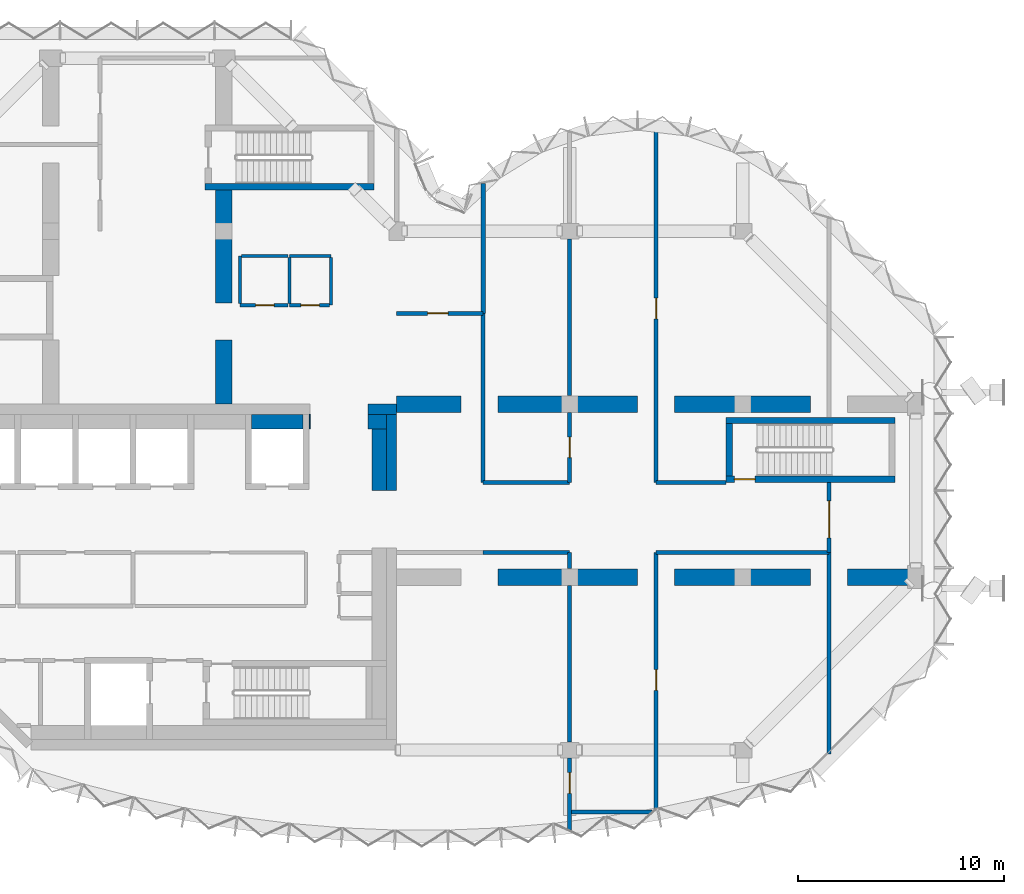
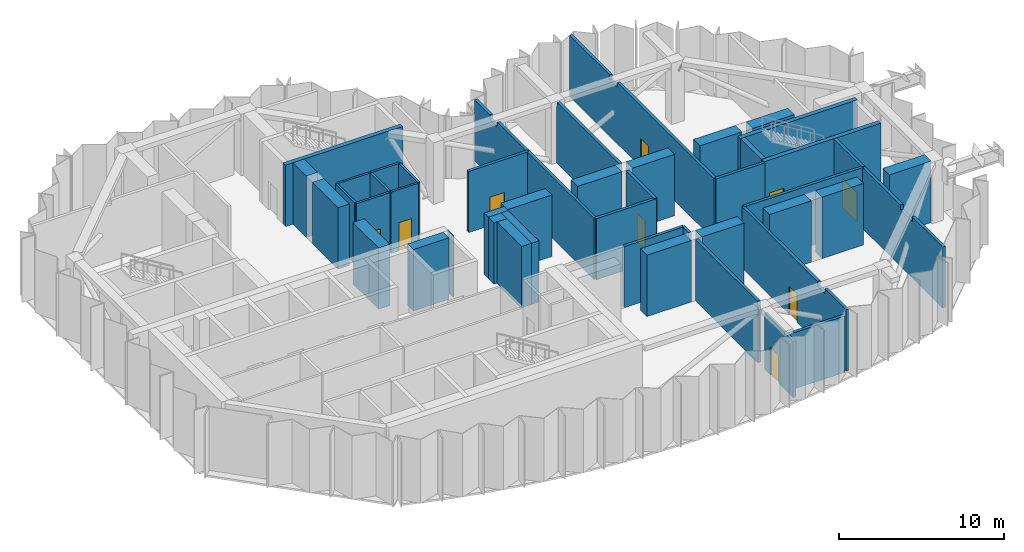
# One storey, part 5 of 13: 47 walls, 9 doors, 9 openings.
"""IFC4 building model written with IfcOpenShell, lengths in metres."""

from ifc_helpers import new_model, si_unit, direction, frame, frame_2d, origin, place, context, subcontext, project, spatial, polyline, rectangle, outline, extrude, material, layer, layer_set, type_object, element, fill, save


model = new_model("IFC4")

# Units and contexts
model_context = context("Model", 3, precision=1e-05, world=origin(), true_north=direction((0.0, 1.0)))
body_context = subcontext(model_context, "Body", "Model", "MODEL_VIEW")
ifc_project = project(units=[si_unit("LENGTHUNIT", "METRE"), si_unit("AREAUNIT", "SQUARE_METRE"), si_unit("VOLUMEUNIT", "CUBIC_METRE"), si_unit("PLANEANGLEUNIT", "RADIAN"), si_unit("MASSUNIT", "GRAM", prefix="KILO")], contexts=[model_context])

# Site, building, storey
site_placement = place(None, origin())
site = spatial("IfcSite", under=ifc_project, at=site_placement, CompositionType="ELEMENT")
building_placement = place(site_placement, origin())
building = spatial("IfcBuilding", under=site, at=building_placement, Name="Brevane Broadcast Tower", CompositionType="ELEMENT")
storey_placement = place(building_placement, frame((0.0, 0.0, 210.89990234375)))
storey = spatial("IfcBuildingStorey", under=building, at=storey_placement, Name="L53", CompositionType="ELEMENT", Elevation=210.89990234375)

# Walls
ifc_material_1 = material(Name="Concrete C32/40", Category="concrete")
ifc_layer_1 = layer(ifc_material_1, 0.699951171875)
ifc_layer_set_1 = layer_set([ifc_layer_1], Name="Core chase wall 700 mm")
wall_type_1 = type_object("IfcWallType", Name="Core chase wall 700 mm", PredefinedType="PARTITIONING", material=ifc_layer_set_1)
wall_1_placement = place(storey_placement, frame((24.35009765625, 12.60009765625, 0.0), z_axis=(0.0, 0.0, 1.0), x_axis=(0.0, 1.0, 0.0)))
element("IfcWall", 1, at=wall_1_placement, inside=storey, type_object=wall_type_1, Name="L53 chase wall LE2", PredefinedType="PARTITIONING", context=body_context, shape_type="SweptSolid", body=[
    extrude(rectangle(XDim=3.0, YDim=0.699951171875, at=frame_2d((1.5, 0.0))), origin(), (0.0, 0.0, 1.0), 4.550048828125),
])
wall_2_placement = place(storey_placement, frame((23.800048828125, 15.949951171875, 0.0), z_axis=(0.0, 0.0, 1.0), x_axis=(1.0, 0.0, 0.0)))
element("IfcWall", 2, at=wall_2_placement, inside=storey, type_object=wall_type_1, Name="L53 chase wall LN2", PredefinedType="PARTITIONING", context=body_context, shape_type="SweptSolid", body=[
    extrude(rectangle(XDim=0.89990234375, YDim=0.699951171875, at=frame_2d((0.449951171875, 0.0))), origin(), (0.0, 0.0, 1.0), 4.550048828125),
])
wall_3_placement = place(storey_placement, frame((18.14990234375, 15.949951171875, 0.0), z_axis=(0.0, 0.0, 1.0), x_axis=(1.0, 0.0, 0.0)))
element("IfcWall", 3, at=wall_3_placement, inside=storey, type_object=wall_type_1, Name="L53 chase wall LN1-2-2-2-2-2-2-1", PredefinedType="PARTITIONING", context=body_context, shape_type="SweptSolid", body=[
    extrude(rectangle(XDim=2.5, YDim=0.699951171875, at=frame_2d((1.25, 0.0))), origin(), (0.0, 0.0, 1.0), 4.550048828125),
])
wall_4_placement = place(storey_placement, frame((20.949951171875, 15.949951171875, 0.0), z_axis=(0.0, 0.0, 1.0), x_axis=(1.0, 0.0, 0.0)))
element("IfcWall", 4, at=wall_4_placement, inside=storey, type_object=wall_type_1, Name="L53 chase wall LN1-2-2-2-2-2-2-2", PredefinedType="PARTITIONING", context=body_context, shape_type="SweptSolid", body=[
    extrude(rectangle(XDim=0.050048828125, YDim=0.699951171875, at=frame_2d((0.02490234375, 0.0))), origin(), (0.0, 0.0, 1.0), 4.550048828125),
])
ifc_material_2 = material(Name="Gypsum board on steel studs", Category="steel")
ifc_layer_2 = layer(ifc_material_2, 0.14990234375)
ifc_layer_set_2 = layer_set([ifc_layer_2], Name="Core fire partition 150 mm")
wall_type_2 = type_object("IfcWallType", Name="Core fire partition 150 mm", PredefinedType="PARTITIONING", material=ifc_layer_set_2)
wall_5_placement = place(storey_placement, frame((20.0, 24.0, 0.0), z_axis=(0.0, 0.0, 1.0), x_axis=(1.0, 0.0, 0.0)))
element("IfcWall", 5, at=wall_5_placement, inside=storey, type_object=wall_type_2, Name="L53 partition wall P22", PredefinedType="PARTITIONING", context=body_context, shape_type="SweptSolid", body=[
    extrude(rectangle(XDim=2.0, YDim=0.14990234375, at=frame_2d((1.0, 0.0))), origin(), (0.0, 0.0, 1.0), 4.550048828125),
])
wall_6_placement = place(storey_placement, frame((22.0, 23.925048828125, 0.0), z_axis=(0.0, 0.0, 1.0), x_axis=(0.0, -1.0, 0.0)))
element("IfcWall", 6, at=wall_6_placement, inside=storey, type_object=wall_type_2, Name="L53 partition wall P23", PredefinedType="PARTITIONING", context=body_context, shape_type="SweptSolid", body=[
    extrude(rectangle(XDim=2.324951171875, YDim=0.14990234375, at=frame_2d((1.16259765625, 0.0))), origin(), (0.0, 0.0, 1.0), 4.550048828125),
])

# Wall, opening, door
wall_7_placement = place(storey_placement, frame((21.925048828125, 21.60009765625, 0.0), z_axis=(0.0, 0.0, 1.0), x_axis=(-1.0, 0.0, 0.0)))
wall_7 = element("IfcWall", 7, at=wall_7_placement, inside=storey, type_object=wall_type_2, Name="L53 partition wall P24", PredefinedType="PARTITIONING", context=body_context, shape_type="SweptSolid", body=[
    extrude(rectangle(XDim=1.925048828125, YDim=0.14990234375, at=frame_2d((0.96240234375, 0.0))), origin(), (0.0, 0.0, 1.0), 4.550048828125),
])
opening_1_placement = place(wall_7_placement, frame((0.47509765625, 0.0, 0.0)))
opening_1 = element("IfcOpeningElement", 8, at=opening_1_placement, cuts=wall_7, Name="Opening L53-K23", PredefinedType="OPENING", context=body_context, shape_type="SweptSolid", body=[
    extrude(rectangle(XDim=0.89990234375, YDim=2.10009765625, at=frame_2d((0.449951171875, 1.050048828125))), frame((0.0, 0.0849609375, 0.0), z_axis=(0.0, -1.0, 0.0), x_axis=(1.0, 0.0, 0.0)), (0.0, 0.0, 1.0), 0.169921875),
])
ifc_material_3 = material(Name="Timber", Category="wood")
door_type_1 = type_object("IfcDoorType", Name="Toilet door 900 x 2100", OperationType="SINGLE_SWING_LEFT", PredefinedType="DOOR", material=ifc_material_3)
door_1_placement = place(opening_1_placement, origin())
door_1 = element("IfcDoor", 9, at=door_1_placement, inside=storey, type_object=door_type_1, Name="Door L53-K23", OperationType="SINGLE_SWING_LEFT", OverallHeight=2.10009765625, OverallWidth=0.89990234375, PredefinedType="DOOR", context=body_context, shape_type="SweptSolid", body=[
    extrude(rectangle(XDim=0.89990234375, YDim=2.10009765625, at=frame_2d((0.449951171875, 1.050048828125))), frame((0.0, 0.02490234375, 0.0), z_axis=(0.0, -1.0, 0.0), x_axis=(1.0, 0.0, 0.0)), (0.0, 0.0, 1.0), 0.050048828125),
])
fill(opening_1, door_1)

# Wall
wall_8_placement = place(storey_placement, frame((20.0, 21.675048828125, 0.0), z_axis=(0.0, 0.0, 1.0), x_axis=(0.0, 1.0, 0.0)))
element("IfcWall", 10, at=wall_8_placement, inside=storey, type_object=wall_type_2, Name="L53 partition wall P25", PredefinedType="PARTITIONING", context=body_context, shape_type="SweptSolid", body=[
    extrude(rectangle(XDim=2.25, YDim=0.14990234375, at=frame_2d((1.125, 0.0))), origin(), (0.0, 0.0, 1.0), 4.550048828125),
])

# Wall, opening, door
wall_9_placement = place(storey_placement, frame((19.925048828125, 21.60009765625, 0.0), z_axis=(0.0, 0.0, 1.0), x_axis=(-1.0, 0.0, 0.0)))
wall_9 = element("IfcWall", 11, at=wall_9_placement, inside=storey, type_object=wall_type_2, Name="L53 partition wall P26", PredefinedType="PARTITIONING", context=body_context, shape_type="SweptSolid", body=[
    extrude(rectangle(XDim=2.324951171875, YDim=0.14990234375, at=frame_2d((1.16259765625, 0.0))), origin(), (0.0, 0.0, 1.0), 4.550048828125),
])
opening_2_placement = place(wall_9_placement, frame((0.675048828125, 0.0, 0.0)))
opening_2 = element("IfcOpeningElement", 12, at=opening_2_placement, cuts=wall_9, Name="Opening L53-K24", PredefinedType="OPENING", context=body_context, shape_type="SweptSolid", body=[
    extrude(rectangle(XDim=0.89990234375, YDim=2.10009765625, at=frame_2d((0.449951171875, 1.050048828125))), frame((0.0, 0.0849609375, 0.0), z_axis=(0.0, -1.0, 0.0), x_axis=(1.0, 0.0, 0.0)), (0.0, 0.0, 1.0), 0.169921875),
])
ifc_material_4 = material(Name="Steel", Category="steel")
door_type_2 = type_object("IfcDoorType", Name="Service room door 900 x 2100", OperationType="SINGLE_SWING_LEFT", PredefinedType="DOOR", material=ifc_material_4)
door_2_placement = place(opening_2_placement, origin())
door_2 = element("IfcDoor", 13, at=door_2_placement, inside=storey, type_object=door_type_2, Name="Door L53-K24", OperationType="SINGLE_SWING_RIGHT", OverallHeight=2.10009765625, OverallWidth=0.89990234375, PredefinedType="DOOR", context=body_context, shape_type="SweptSolid", body=[
    extrude(rectangle(XDim=0.89990234375, YDim=2.10009765625, at=frame_2d((0.449951171875, 1.050048828125))), frame((0.0, 0.02490234375, 0.0), z_axis=(0.0, -1.0, 0.0), x_axis=(1.0, 0.0, 0.0)), (0.0, 0.0, 1.0), 0.050048828125),
])
fill(opening_2, door_2)

# Walls
wall_10_placement = place(storey_placement, frame((17.60009765625, 21.675048828125, 0.0), z_axis=(0.0, 0.0, 1.0), x_axis=(0.0, 1.0, 0.0)))
element("IfcWall", 14, at=wall_10_placement, inside=storey, type_object=wall_type_2, Name="L53 partition wall P27", PredefinedType="PARTITIONING", context=body_context, shape_type="SweptSolid", body=[
    extrude(rectangle(XDim=2.324951171875, YDim=0.14990234375, at=frame_2d((1.16259765625, 0.0))), origin(), (0.0, 0.0, 1.0), 4.550048828125),
])
wall_11_placement = place(storey_placement, frame((17.675048828125, 24.0, 0.0), z_axis=(0.0, 0.0, 1.0), x_axis=(1.0, 0.0, 0.0)))
element("IfcWall", 15, at=wall_11_placement, inside=storey, type_object=wall_type_2, Name="L53 partition wall P28", PredefinedType="PARTITIONING", context=body_context, shape_type="SweptSolid", body=[
    extrude(rectangle(XDim=2.25, YDim=0.14990234375, at=frame_2d((1.125, 0.0))), origin(), (0.0, 0.0, 1.0), 4.550048828125),
])
ifc_material_5 = material(Name="Concrete C50/60", Category="concrete")
ifc_layer_3 = layer(ifc_material_5, 0.300048828125)
ifc_layer_set_3 = layer_set([ifc_layer_3], Name="Core wall 300 mm C50/60")
wall_type_3 = type_object("IfcWallType", Name="Core wall 300 mm C50/60", PredefinedType="SHEAR", material=ifc_layer_set_3)
wall_12_placement = place(storey_placement, frame((15.89990234375, 27.35009765625, 0.0), z_axis=(0.0, 0.0, 1.0), x_axis=(1.0, 0.0, 0.0)))
element("IfcWall", 16, at=wall_12_placement, inside=storey, type_object=wall_type_3, Name="L53 stair wall ST-3-S", PredefinedType="SHEAR", context=body_context, shape_type="SweptSolid", body=[
    extrude(rectangle(XDim=8.2001953125, YDim=0.300048828125, at=frame_2d((4.10009765625, 0.0))), origin(), (0.0, 0.0, 1.0), 4.550048828125),
])

# Wall, opening, door
wall_13_placement = place(storey_placement, frame((49.39990234375, 13.14990234375, 0.0), z_axis=(0.0, 0.0, 1.0), x_axis=(-1.0, 0.0, 0.0)))
wall_13 = element("IfcWall", 17, at=wall_13_placement, inside=storey, type_object=wall_type_3, Name="L53 stair wall ST-4-S", PredefinedType="SHEAR", context=body_context, shape_type="SweptSolid", body=[
    extrude(rectangle(XDim=8.199951171875, YDim=0.300048828125, at=frame_2d((4.10009765625, 0.0))), origin(), (0.0, 0.0, 1.0), 4.550048828125),
])
opening_3_placement = place(wall_13_placement, frame((6.800048828125, 0.0, 0.0)))
opening_3 = element("IfcOpeningElement", 18, at=opening_3_placement, cuts=wall_13, Name="Opening L53-K13", PredefinedType="OPENING", context=body_context, shape_type="SweptSolid", body=[
    extrude(rectangle(XDim=1.0, YDim=2.10009765625, at=frame_2d((0.5, 1.050048828125))), frame((0.0, 0.159912109375, 0.0), z_axis=(0.0, -1.0, 0.0), x_axis=(1.0, 0.0, 0.0)), (0.0, 0.0, 1.0), 0.320068359375),
])
door_type_3 = type_object("IfcDoorType", Name="Stair door 1000 x 2100", OperationType="SINGLE_SWING_LEFT", PredefinedType="DOOR", material=ifc_material_4)
door_3_placement = place(opening_3_placement, origin())
door_3 = element("IfcDoor", 19, at=door_3_placement, inside=storey, type_object=door_type_3, Name="Door L53-K13", OperationType="SINGLE_SWING_LEFT", OverallHeight=2.10009765625, OverallWidth=1.0, PredefinedType="DOOR", context=body_context, shape_type="SweptSolid", body=[
    extrude(rectangle(XDim=1.0, YDim=2.10009765625, at=frame_2d((0.5, 1.050048828125))), frame((0.0, 0.02490234375, 0.0), z_axis=(0.0, -1.0, 0.0), x_axis=(1.0, 0.0, 0.0)), (0.0, 0.0, 1.0), 0.050048828125),
])
fill(opening_3, door_3)

# Walls
wall_14_placement = place(storey_placement, frame((41.199951171875, 16.0, 0.0), z_axis=(0.0, 0.0, 1.0), x_axis=(1.0, 0.0, 0.0)))
element("IfcWall", 20, at=wall_14_placement, inside=storey, type_object=wall_type_3, Name="L53 stair wall ST-4-N", PredefinedType="SHEAR", context=body_context, shape_type="SweptSolid", body=[
    extrude(rectangle(XDim=8.199951171875, YDim=0.300048828125, at=frame_2d((4.10009765625, 0.0))), origin(), (0.0, 0.0, 1.0), 4.550048828125),
])
wall_15_placement = place(storey_placement, frame((41.35009765625, 13.300048828125, 0.0), z_axis=(0.0, 0.0, 1.0), x_axis=(0.0, 1.0, 0.0)))
element("IfcWall", 21, at=wall_15_placement, inside=storey, type_object=wall_type_3, Name="L53 stair wall ST-4-W", PredefinedType="SHEAR", context=body_context, shape_type="SweptSolid", body=[
    extrude(rectangle(XDim=2.550048828125, YDim=0.300048828125, at=frame_2d((1.27490234375, 0.0))), origin(), (0.0, 0.0, 1.0), 4.550048828125),
])
ifc_layer_4 = layer(ifc_material_5, 0.5)
ifc_layer_set_4 = layer_set([ifc_layer_4], Name="Core wall 500 mm C50/60")
wall_type_4 = type_object("IfcWallType", Name="Core wall 500 mm C50/60", PredefinedType="SHEAR", material=ifc_layer_set_4)
wall_16_placement = place(storey_placement, frame((23.800048828125, 16.550048828125, 0.0), z_axis=(0.0, 0.0, 1.0), x_axis=(1.0, 0.0, 0.0)))
element("IfcWall", 22, at=wall_16_placement, inside=storey, type_object=wall_type_4, Name="L53 outer wall WN2", PredefinedType="SHEAR", context=body_context, shape_type="SweptSolid", body=[
    extrude(rectangle(XDim=1.39990234375, YDim=0.5, at=frame_2d((0.699951171875, 0.0))), origin(), (0.0, 0.0, 1.0), 4.550048828125),
])
wall_17_placement = place(storey_placement, frame((24.949951171875, 12.60009765625, 0.0), z_axis=(0.0, 0.0, 1.0), x_axis=(0.0, 1.0, 0.0)))
element("IfcWall", 23, at=wall_17_placement, inside=storey, type_object=wall_type_4, Name="L53 outer wall WE2", PredefinedType="SHEAR", context=body_context, shape_type="SweptSolid", body=[
    extrude(rectangle(XDim=3.699951171875, YDim=0.5, at=frame_2d((1.85009765625, 0.0))), origin(), (0.0, 0.0, 1.0), 4.550048828125),
])

# Wall, opening, door
ifc_material_6 = material(Name="Gypsum board partition")
ifc_layer_5 = layer(ifc_material_6, 0.199951171875)
ifc_layer_set_5 = layer_set([ifc_layer_5], Name="PARTITION 200 EI 120")
wall_type_5 = type_object("IfcWallType", Name="PARTITION 200 EI 120", PredefinedType="PARTITIONING", material=ifc_layer_set_5)
wall_18_placement = place(storey_placement, frame((25.199951171875, 21.199951171875, 0.0), z_axis=(0.0, 0.0, 1.0), x_axis=(1.0, 0.0, 0.0)))
wall_18 = element("IfcWall", 24, at=wall_18_placement, inside=storey, type_object=wall_type_5, Name="Partition R3-001", PredefinedType="PARTITIONING", context=body_context, shape_type="SweptSolid", body=[
    extrude(rectangle(XDim=4.199951171875, YDim=0.199951171875, at=frame_2d((2.10009765625, 0.0))), origin(), (0.0, 0.0, 1.0), 4.530029296875),
])
opening_4_placement = place(wall_18_placement, frame((1.5, 0.0, 0.0)))
opening_4 = element("IfcOpeningElement", 25, at=opening_4_placement, cuts=wall_18, Name="Opening D26-001", PredefinedType="OPENING", context=body_context, shape_type="SweptSolid", body=[
    extrude(rectangle(XDim=1.0, YDim=2.10009765625, at=frame_2d((0.5, 1.050048828125))), frame((0.0, 0.10986328125, 0.0), z_axis=(0.0, -1.0, 0.0), x_axis=(1.0, 0.0, 0.0)), (0.0, 0.0, 1.0), 0.219970703125),
])
ifc_material_7 = material(Name="Fire-rated timber door leaf", Category="wood")
door_type_4 = type_object("IfcDoorType", Name="DOOR SINGLE 1000 FD60", OperationType="SINGLE_SWING_LEFT", PredefinedType="DOOR", material=ifc_material_7)
door_4_placement = place(opening_4_placement, origin())
door_4 = element("IfcDoor", 26, at=door_4_placement, inside=storey, type_object=door_type_4, Name="Door D26-001", OperationType="SINGLE_SWING_LEFT", OverallHeight=2.10009765625, OverallWidth=1.0, PredefinedType="DOOR", context=body_context, shape_type="SweptSolid", body=[
    extrude(rectangle(XDim=1.0, YDim=2.10009765625, at=frame_2d((0.5, 1.050048828125))), frame((0.0, 0.02490234375, 0.0), z_axis=(0.0, -1.0, 0.0), x_axis=(1.0, 0.0, 0.0)), (0.0, 0.0, 1.0), 0.050048828125),
])
fill(opening_4, door_4)

# Walls
wall_19_placement = place(storey_placement, frame((29.39990234375, 21.199951171875, 0.0), z_axis=(0.0, 0.0, 1.0), x_axis=(0.0, -1.0, 0.0)))
element("IfcWall", 27, at=wall_19_placement, inside=storey, type_object=wall_type_5, Name="Partition R3-003", PredefinedType="PARTITIONING", context=body_context, shape_type="SweptSolid", body=[
    extrude(rectangle(XDim=8.199951171875, YDim=0.199951171875, at=frame_2d((4.10009765625, 0.0))), origin(), (0.0, 0.0, 1.0), 4.530029296875),
])
wall_20_placement = place(storey_placement, frame((29.39990234375, 27.509765625, 0.0), z_axis=(0.0, 0.0, 1.0), x_axis=(0.0, -1.0, 0.0)))
element("IfcWall", 28, at=wall_20_placement, inside=storey, type_object=wall_type_5, Name="Partition R3-004", PredefinedType="PARTITIONING", context=body_context, shape_type="SweptSolid", body=[
    extrude(outline(polyline([(0.0, 0.0), (6.309814453125, 0.0), (6.3095703125, 4.530029296875), (2.759765625, 4.530029296875), (2.757568359375, 4.18017578125), (1.861572265625, 4.18017578125), (1.859619140625, 4.530029296875), (0.234619140625, 4.530029296875), (0.0, 4.530029296875), (0.0, 0.0)])), frame((0.0, 0.10009765625, 0.0), z_axis=(0.0, -1.0, 0.0), x_axis=(1.0, 0.0, 0.0)), (0.0, 0.0, 1.0), 0.199951171875),
])

# Wall, opening, door
wall_21_placement = place(storey_placement, frame((46.199951171875, 13.0, 0.0), z_axis=(0.0, 0.0, 1.0), x_axis=(0.0, -1.0, 0.0)))
wall_21 = element("IfcWall", 29, at=wall_21_placement, inside=storey, type_object=wall_type_5, Name="Partition R3-006", PredefinedType="PARTITIONING", context=body_context, shape_type="SweptSolid", body=[
    extrude(rectangle(XDim=3.39990234375, YDim=0.199951171875, at=frame_2d((1.699951171875, 0.0))), origin(), (0.0, 0.0, 1.0), 4.530029296875),
])
opening_5_placement = place(wall_21_placement, frame((0.89990234375, 0.0, 0.0)))
opening_5 = element("IfcOpeningElement", 30, at=opening_5_placement, cuts=wall_21, Name="Opening D26-002", PredefinedType="OPENING", context=body_context, shape_type="SweptSolid", body=[
    extrude(rectangle(XDim=1.800048828125, YDim=2.10009765625, at=frame_2d((0.89990234375, 1.050048828125))), frame((0.0, 0.10986328125, 0.0), z_axis=(0.0, -1.0, 0.0), x_axis=(1.0, 0.0, 0.0)), (0.0, 0.0, 1.0), 0.219970703125),
])
door_type_5 = type_object("IfcDoorType", Name="DOOR DOUBLE 1800 FD60", OperationType="DOUBLE_DOOR_SINGLE_SWING", PredefinedType="DOOR", material=ifc_material_7)
door_5_placement = place(opening_5_placement, origin())
door_5 = element("IfcDoor", 31, at=door_5_placement, inside=storey, type_object=door_type_5, Name="Door D26-002", OperationType="DOUBLE_DOOR_SINGLE_SWING", OverallHeight=2.10009765625, OverallWidth=1.800048828125, PredefinedType="DOOR", context=body_context, shape_type="SweptSolid", body=[
    extrude(rectangle(XDim=1.800048828125, YDim=2.10009765625, at=frame_2d((0.89990234375, 1.050048828125))), frame((0.0, 0.02490234375, 0.0), z_axis=(0.0, -1.0, 0.0), x_axis=(1.0, 0.0, 0.0)), (0.0, 0.0, 1.0), 0.050048828125),
])
fill(opening_5, door_5)

# Walls
wall_22_placement = place(storey_placement, frame((33.60009765625, 9.60009765625, 0.0), z_axis=(0.0, 0.0, 1.0), x_axis=(-1.0, 0.0, 0.0)))
element("IfcWall", 32, at=wall_22_placement, inside=storey, type_object=wall_type_5, Name="Partition R3-007", PredefinedType="PARTITIONING", context=body_context, shape_type="SweptSolid", body=[
    extrude(rectangle(XDim=4.2001953125, YDim=0.199951171875, at=frame_2d((2.10009765625, 0.0))), origin(), (0.0, 0.0, 1.0), 4.530029296875),
])
wall_23_placement = place(storey_placement, frame((46.199951171875, 9.60009765625, 0.0), z_axis=(0.0, 0.0, 1.0), x_axis=(-1.0, 0.0, 0.0)))
element("IfcWall", 33, at=wall_23_placement, inside=storey, type_object=wall_type_5, Name="Partition R3-008", PredefinedType="PARTITIONING", context=body_context, shape_type="SweptSolid", body=[
    extrude(rectangle(XDim=8.39990234375, YDim=0.199951171875, at=frame_2d((4.199951171875, 0.0))), origin(), (0.0, 0.0, 1.0), 4.530029296875),
])
wall_24_placement = place(storey_placement, frame((29.39990234375, 13.0, 0.0), z_axis=(0.0, 0.0, 1.0), x_axis=(1.0, 0.0, 0.0)))
element("IfcWall", 34, at=wall_24_placement, inside=storey, type_object=wall_type_5, Name="Partition R3-009", PredefinedType="PARTITIONING", context=body_context, shape_type="SweptSolid", body=[
    extrude(rectangle(XDim=4.2001953125, YDim=0.199951171875, at=frame_2d((2.10009765625, 0.0))), origin(), (0.0, 0.0, 1.0), 4.530029296875),
])
wall_25_placement = place(storey_placement, frame((37.800048828125, 13.0, 0.0), z_axis=(0.0, 0.0, 1.0), x_axis=(1.0, 0.0, 0.0)))
element("IfcWall", 35, at=wall_25_placement, inside=storey, type_object=wall_type_5, Name="Partition R3-010", PredefinedType="PARTITIONING", context=body_context, shape_type="SweptSolid", body=[
    extrude(rectangle(XDim=3.39990234375, YDim=0.199951171875, at=frame_2d((1.699951171875, 0.0))), origin(), (0.0, 0.0, 1.0), 4.530029296875),
])
wall_26_placement = place(storey_placement, frame((46.199951171875, -0.199951171875, 0.0), z_axis=(0.0, 0.0, 1.0), x_axis=(0.0, 1.0, 0.0)))
element("IfcWall", 36, at=wall_26_placement, inside=storey, type_object=wall_type_5, Name="Partition R3-011", PredefinedType="PARTITIONING", context=body_context, shape_type="SweptSolid", body=[
    extrude(outline(polyline([(0.0, 0.0), (9.800048828125, 0.0), (9.800048828125, 4.530029296875), (5.11572265625, 4.530029296875), (5.11376953125, 4.18017578125), (3.686279296875, 4.18017578125), (3.684326171875, 4.530029296875), (0.0, 4.530029296875), (0.0, 0.0)])), frame((0.0, 0.10009765625, 0.0), z_axis=(0.0, -1.0, 0.0), x_axis=(1.0, 0.0, 0.0)), (0.0, 0.0, 1.0), 0.199951171875),
])
wall_27_placement = place(storey_placement, frame((37.5869140625, -3.0, 0.0), z_axis=(0.0, 0.0, 1.0), x_axis=(-1.0, 0.0, 0.0)))
element("IfcWall", 37, at=wall_27_placement, inside=storey, type_object=wall_type_5, Name="Partition R3-013", PredefinedType="PARTITIONING", context=body_context, shape_type="SweptSolid", body=[
    extrude(rectangle(XDim=3.98681640625, YDim=0.199951171875, at=frame_2d((1.993408203125, 0.0))), origin(), (0.0, 0.0, 1.0), 4.18017578125),
])

# Wall, opening, door
wall_28_placement = place(storey_placement, frame((33.60009765625, -3.87890625, 0.0), z_axis=(0.0, 0.0, 1.0), x_axis=(0.0, 1.0, 0.0)))
wall_28 = element("IfcWall", 38, at=wall_28_placement, inside=storey, type_object=wall_type_5, Name="Partition R3-014", PredefinedType="PARTITIONING", context=body_context, shape_type="SweptSolid", body=[
    extrude(rectangle(XDim=3.48388671875, YDim=0.199951171875, at=frame_2d((1.741943359375, 0.0))), origin(), (0.0, 0.0, 1.0), 4.18017578125),
])
opening_6_placement = place(wall_28_placement, frame((1.779052734375, 0.0, 0.0)))
opening_6 = element("IfcOpeningElement", 39, at=opening_6_placement, cuts=wall_28, Name="Opening D26-003", PredefinedType="OPENING", context=body_context, shape_type="SweptSolid", body=[
    extrude(rectangle(XDim=1.0, YDim=2.10009765625, at=frame_2d((0.5, 1.050048828125))), frame((0.0, 0.10986328125, 0.0), z_axis=(0.0, -1.0, 0.0), x_axis=(1.0, 0.0, 0.0)), (0.0, 0.0, 1.0), 0.219970703125),
])
door_6_placement = place(opening_6_placement, origin())
door_6 = element("IfcDoor", 40, at=door_6_placement, inside=storey, type_object=door_type_4, Name="Door D26-003", OperationType="SINGLE_SWING_LEFT", OverallHeight=2.10009765625, OverallWidth=1.0, PredefinedType="DOOR", context=body_context, shape_type="SweptSolid", body=[
    extrude(rectangle(XDim=1.0, YDim=2.10009765625, at=frame_2d((0.5, 1.050048828125))), frame((0.0, 0.02490234375, 0.0), z_axis=(0.0, -1.0, 0.0), x_axis=(1.0, 0.0, 0.0)), (0.0, 0.0, 1.0), 0.050048828125),
])
fill(opening_6, door_6)

# Walls
wall_29_placement = place(storey_placement, frame((33.60009765625, 0.39501953125, 0.0), z_axis=(0.0, 0.0, 1.0), x_axis=(0.0, 1.0, 0.0)))
element("IfcWall", 41, at=wall_29_placement, inside=storey, type_object=wall_type_5, Name="Partition R3-015", PredefinedType="PARTITIONING", context=body_context, shape_type="SweptSolid", body=[
    extrude(outline(polyline([(0.0, 0.0), (7.5849609375, 0.0), (7.5849609375, 4.530029296875), (0.054931640625, 4.530029296875), (0.052978515625, 4.18017578125), (0.0, 4.18017578125), (0.0, 0.0)])), frame((0.0, 0.10009765625, 0.0), z_axis=(0.0, -1.0, 0.0), x_axis=(1.0, 0.0, 0.0)), (0.0, 0.0, 1.0), 0.199951171875),
])
wall_30_placement = place(storey_placement, frame((33.60009765625, 8.820068359375, 0.0), z_axis=(0.0, 0.0, 1.0), x_axis=(0.0, 1.0, 0.0)))
element("IfcWall", 42, at=wall_30_placement, inside=storey, type_object=wall_type_5, Name="Partition R3-016", PredefinedType="PARTITIONING", context=body_context, shape_type="SweptSolid", body=[
    extrude(rectangle(XDim=0.780029296875, YDim=0.199951171875, at=frame_2d((0.39013671875, 0.0))), origin(), (0.0, 0.0, 1.0), 4.530029296875),
])

# Wall, opening, door
wall_31_placement = place(storey_placement, frame((37.800048828125, 9.60009765625, 0.0), z_axis=(0.0, 0.0, 1.0), x_axis=(0.0, -1.0, 0.0)))
wall_31 = element("IfcWall", 43, at=wall_31_placement, inside=storey, type_object=wall_type_5, Name="Partition R3-017", PredefinedType="PARTITIONING", context=body_context, shape_type="SweptSolid", body=[
    extrude(outline(polyline([(0.0, 0.0), (12.622314453125, 0.0), (12.622314453125, 4.530029296875), (10.050048828125, 4.530029296875), (10.048095703125, 4.18017578125), (9.152099609375, 4.18017578125), (9.14990234375, 4.530029296875), (0.0, 4.530029296875), (0.0, 0.0)])), frame((0.0, 0.10009765625, 0.0), z_axis=(0.0, -1.0, 0.0), x_axis=(1.0, 0.0, 0.0)), (0.0, 0.0, 1.0), 0.199951171875),
])
opening_7_placement = place(wall_31_placement, frame((5.699951171875, 0.0, 0.0)))
opening_7 = element("IfcOpeningElement", 44, at=opening_7_placement, cuts=wall_31, Name="Opening D26-004", PredefinedType="OPENING", context=body_context, shape_type="SweptSolid", body=[
    extrude(rectangle(XDim=1.0, YDim=2.10009765625, at=frame_2d((0.5, 1.050048828125))), frame((0.0, 0.10986328125, 0.0), z_axis=(0.0, -1.0, 0.0), x_axis=(1.0, 0.0, 0.0)), (0.0, 0.0, 1.0), 0.219970703125),
])
door_7_placement = place(opening_7_placement, origin())
door_7 = element("IfcDoor", 45, at=door_7_placement, inside=storey, type_object=door_type_4, Name="Door D26-004", OperationType="SINGLE_SWING_LEFT", OverallHeight=2.10009765625, OverallWidth=1.0, PredefinedType="DOOR", context=body_context, shape_type="SweptSolid", body=[
    extrude(rectangle(XDim=1.0, YDim=2.10009765625, at=frame_2d((0.5, 1.050048828125))), frame((0.0, 0.02490234375, 0.0), z_axis=(0.0, -1.0, 0.0), x_axis=(1.0, 0.0, 0.0)), (0.0, 0.0, 1.0), 0.050048828125),
])
fill(opening_7, door_7)

wall_32_placement = place(storey_placement, frame((33.60009765625, 13.0, 0.0), z_axis=(0.0, 0.0, 1.0), x_axis=(0.0, 1.0, 0.0)))
wall_32 = element("IfcWall", 46, at=wall_32_placement, inside=storey, type_object=wall_type_5, Name="Partition R3-018", PredefinedType="PARTITIONING", context=body_context, shape_type="SweptSolid", body=[
    extrude(rectangle(XDim=3.3798828125, YDim=0.199951171875, at=frame_2d((1.68994140625, 0.0))), origin(), (0.0, 0.0, 1.0), 4.530029296875),
])
opening_8_placement = place(wall_32_placement, frame((1.199951171875, 0.0, 0.0)))
opening_8 = element("IfcOpeningElement", 47, at=opening_8_placement, cuts=wall_32, Name="Opening D26-005", PredefinedType="OPENING", context=body_context, shape_type="SweptSolid", body=[
    extrude(rectangle(XDim=1.0, YDim=2.10009765625, at=frame_2d((0.5, 1.050048828125))), frame((0.0, 0.10986328125, 0.0), z_axis=(0.0, -1.0, 0.0), x_axis=(1.0, 0.0, 0.0)), (0.0, 0.0, 1.0), 0.219970703125),
])
door_8_placement = place(opening_8_placement, origin())
door_8 = element("IfcDoor", 48, at=door_8_placement, inside=storey, type_object=door_type_4, Name="Door D26-005", OperationType="SINGLE_SWING_LEFT", OverallHeight=2.10009765625, OverallWidth=1.0, PredefinedType="DOOR", context=body_context, shape_type="SweptSolid", body=[
    extrude(rectangle(XDim=1.0, YDim=2.10009765625, at=frame_2d((0.5, 1.050048828125))), frame((0.0, 0.02490234375, 0.0), z_axis=(0.0, -1.0, 0.0), x_axis=(1.0, 0.0, 0.0)), (0.0, 0.0, 1.0), 0.050048828125),
])
fill(opening_8, door_8)

# Wall
wall_33_placement = place(storey_placement, frame((33.60009765625, 17.219970703125, 0.0), z_axis=(0.0, 0.0, 1.0), x_axis=(0.0, 1.0, 0.0)))
element("IfcWall", 49, at=wall_33_placement, inside=storey, type_object=wall_type_5, Name="Partition R3-019", PredefinedType="PARTITIONING", context=body_context, shape_type="SweptSolid", body=[
    extrude(outline(polyline([(0.0, 0.0), (7.5849609375, 0.0), (7.5849609375, 4.18017578125), (7.531982421875, 4.18017578125), (7.530029296875, 4.530029296875), (0.0, 4.530029296875), (0.0, 0.0)])), frame((0.0, 0.10009765625, 0.0), z_axis=(0.0, -1.0, 0.0), x_axis=(1.0, 0.0, 0.0)), (0.0, 0.0, 1.0), 0.199951171875),
])

# Wall, opening, door
wall_34_placement = place(storey_placement, frame((37.800048828125, 30.52490234375, 0.0), z_axis=(0.0, 0.0, 1.0), x_axis=(0.0, -1.0, 0.0)))
wall_34 = element("IfcWall", 50, at=wall_34_placement, inside=storey, type_object=wall_type_5, Name="Partition R3-021", PredefinedType="PARTITIONING", context=body_context, shape_type="SweptSolid", body=[
    extrude(outline(polyline([(0.0, 0.0), (17.52490234375, 0.0), (17.52490234375, 4.530029296875), (5.77490234375, 4.530029296875), (5.77294921875, 4.18017578125), (4.876953125, 4.18017578125), (4.875, 4.530029296875), (0.2822265625, 4.530029296875), (0.0, 4.530029296875), (0.0, 0.0)])), frame((0.0, 0.10009765625, 0.0), z_axis=(0.0, -1.0, 0.0), x_axis=(1.0, 0.0, 0.0)), (0.0, 0.0, 1.0), 0.199951171875),
])
opening_9_placement = place(wall_34_placement, frame((8.582275390625, 0.0, 0.0)))
opening_9 = element("IfcOpeningElement", 51, at=opening_9_placement, cuts=wall_34, Name="Opening D26-006", PredefinedType="OPENING", context=body_context, shape_type="SweptSolid", body=[
    extrude(rectangle(XDim=1.0, YDim=2.10009765625, at=frame_2d((0.5, 1.050048828125))), frame((0.0, 0.10986328125, 0.0), z_axis=(0.0, -1.0, 0.0), x_axis=(1.0, 0.0, 0.0)), (0.0, 0.0, 1.0), 0.219970703125),
])
door_9_placement = place(opening_9_placement, origin())
door_9 = element("IfcDoor", 52, at=door_9_placement, inside=storey, type_object=door_type_4, Name="Door D26-006", OperationType="SINGLE_SWING_LEFT", OverallHeight=2.10009765625, OverallWidth=1.0, PredefinedType="DOOR", context=body_context, shape_type="SweptSolid", body=[
    extrude(rectangle(XDim=1.0, YDim=2.10009765625, at=frame_2d((0.5, 1.050048828125))), frame((0.0, 0.02490234375, 0.0), z_axis=(0.0, -1.0, 0.0), x_axis=(1.0, 0.0, 0.0)), (0.0, 0.0, 1.0), 0.050048828125),
])
fill(opening_9, door_9)

# Walls
ifc_material_8 = material(Name="Concrete C60/75", Category="concrete")
ifc_layer_6 = layer(ifc_material_8, 0.800048828125)
ifc_layer_set_6 = layer_set([ifc_layer_6], Name="RC OUTRIGGER WALL 800 C60/75")
wall_type_6 = type_object("IfcWallType", Name="RC OUTRIGGER WALL 800 C60/75", PredefinedType="SHEAR", material=ifc_layer_set_6)
wall_35_placement = place(storey_placement, frame((30.114990234375, 8.39990234375, 0.0), z_axis=(0.0, 0.0, 1.0), x_axis=(1.0, 0.0, 0.0)))
element("IfcWall", 53, at=wall_35_placement, inside=storey, type_object=wall_type_6, Name="OR1 L53-2", PredefinedType="SHEAR", context=body_context, shape_type="SweptSolid", body=[
    extrude(rectangle(XDim=3.114990234375, YDim=0.800048828125, at=frame_2d((1.5576171875, 0.0))), origin(), (0.0, 0.0, 1.0), 4.550048828125),
])
for number, where, z_axis, x_axis, name in (
    (54, (33.969970703125, 8.39990234375, 0.0), (0.0, 0.0, 1.0), (1.0, 0.0, 0.0), "OR1 L53-3"),
    (55, (38.699951171875, 8.39990234375, 0.0), (0.0, 0.0, 1.0), (1.0, 0.0, 0.0), "OR1 L53-4"),
    (56, (42.3701171875, 8.39990234375, 0.0), (0.0, 0.0, 1.0), (1.0, 0.0, 0.0), "OR1 L53-5"),
    (57, (47.10009765625, 8.39990234375, 0.0), (0.0, 0.0, 1.0), (1.0, 0.0, 0.0), "OR1 L53-6"),
):
    element("IfcWall", number, at=place(storey_placement, frame(where, z_axis=z_axis, x_axis=x_axis)), inside=storey, type_object=wall_type_6, Name=name, PredefinedType="SHEAR", context=body_context, shape_type="SweptSolid", body=[
        extrude(rectangle(XDim=2.929931640625, YDim=0.800048828125, at=frame_2d((1.46484375, 0.0))), origin(), (0.0, 0.0, 1.0), 4.550048828125),
    ])
for number, where, z_axis, x_axis, name in (
    (58, (25.199951171875, 16.800048828125, 0.0), (0.0, 0.0, 1.0), (1.0, 0.0, 0.0), "OR1 L53-7"),
    (59, (30.114990234375, 16.800048828125, 0.0), (0.0, 0.0, 1.0), (1.0, 0.0, 0.0), "OR1 L53-8"),
):
    element("IfcWall", number, at=place(storey_placement, frame(where, z_axis=z_axis, x_axis=x_axis)), inside=storey, type_object=wall_type_6, Name=name, PredefinedType="SHEAR", context=body_context, shape_type="SweptSolid", body=[
        extrude(rectangle(XDim=3.114990234375, YDim=0.800048828125, at=frame_2d((1.5576171875, 0.0))), origin(), (0.0, 0.0, 1.0), 4.550048828125),
    ])
for number, where, z_axis, x_axis, name in (
    (60, (33.969970703125, 16.800048828125, 0.0), (0.0, 0.0, 1.0), (1.0, 0.0, 0.0), "OR1 L53-9"),
    (61, (38.699951171875, 16.800048828125, 0.0), (0.0, 0.0, 1.0), (1.0, 0.0, 0.0), "OR1 L53-10"),
    (62, (42.3701171875, 16.800048828125, 0.0), (0.0, 0.0, 1.0), (1.0, 0.0, 0.0), "OR1 L53-11"),
):
    element("IfcWall", number, at=place(storey_placement, frame(where, z_axis=z_axis, x_axis=x_axis)), inside=storey, type_object=wall_type_6, Name=name, PredefinedType="SHEAR", context=body_context, shape_type="SweptSolid", body=[
        extrude(rectangle(XDim=2.929931640625, YDim=0.800048828125, at=frame_2d((1.46484375, 0.0))), origin(), (0.0, 0.0, 1.0), 4.550048828125),
    ])
for number, where, z_axis, x_axis, name in (
    (63, (16.800048828125, 16.800048828125, 0.0), (0.0, 0.0, 1.0), (0.0, 1.0, 0.0), "OR1 L53-17"),
    (64, (16.800048828125, 21.715087890625, 0.0), (0.0, 0.0, 1.0), (0.0, 1.0, 0.0), "OR1 L53-18"),
):
    element("IfcWall", number, at=place(storey_placement, frame(where, z_axis=z_axis, x_axis=x_axis)), inside=storey, type_object=wall_type_6, Name=name, PredefinedType="SHEAR", context=body_context, shape_type="SweptSolid", body=[
        extrude(rectangle(XDim=3.114990234375, YDim=0.800048828125, at=frame_2d((1.5576171875, 0.0))), origin(), (0.0, 0.0, 1.0), 4.550048828125),
    ])
wall_36_placement = place(storey_placement, frame((16.800048828125, 25.570068359375, 0.0), z_axis=(0.0, 0.0, 1.0), x_axis=(0.0, 1.0, 0.0)))
element("IfcWall", 65, at=wall_36_placement, inside=storey, type_object=wall_type_6, Name="OR1 L53-20", PredefinedType="SHEAR", context=body_context, shape_type="SweptSolid", body=[
    extrude(rectangle(XDim=1.6298828125, YDim=0.800048828125, at=frame_2d((0.81494140625, 0.0))), origin(), (0.0, 0.0, 1.0), 4.550048828125),
])

save(model, "model.ifc")
